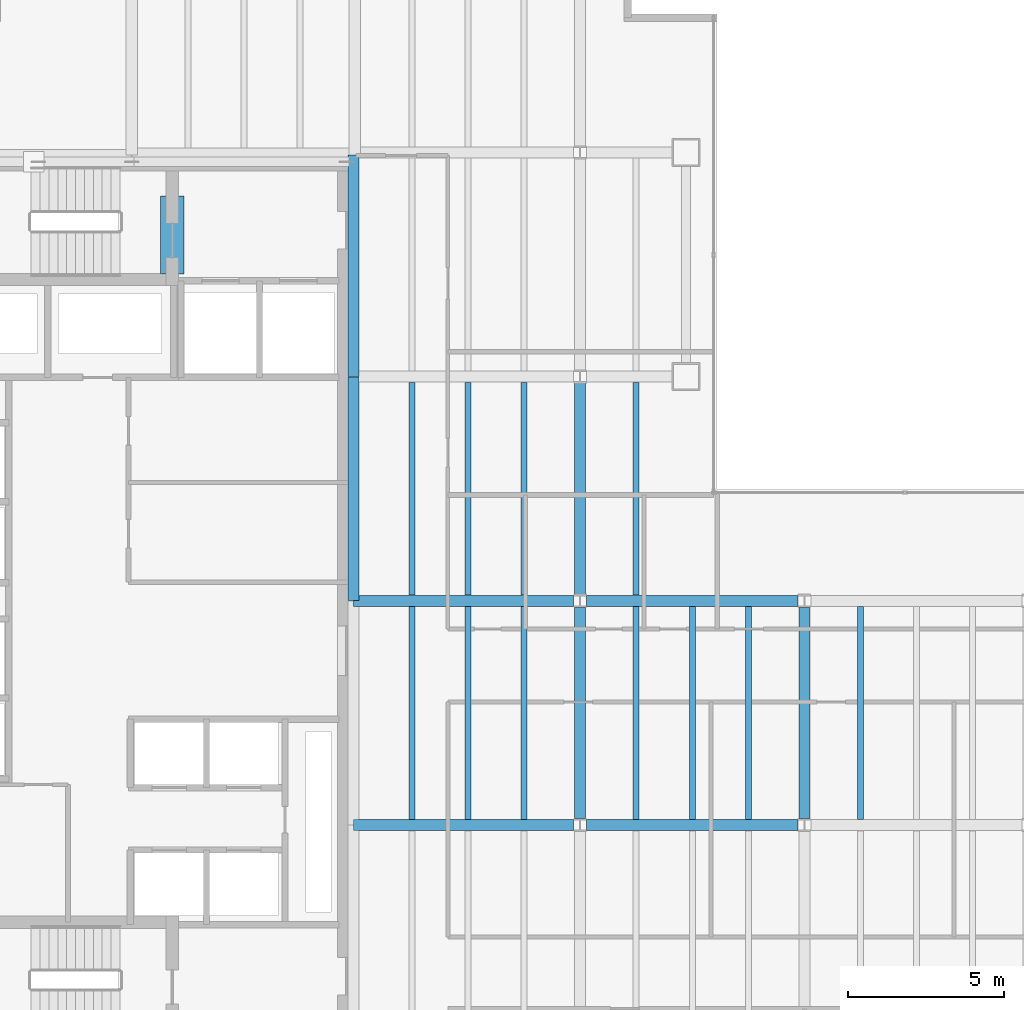
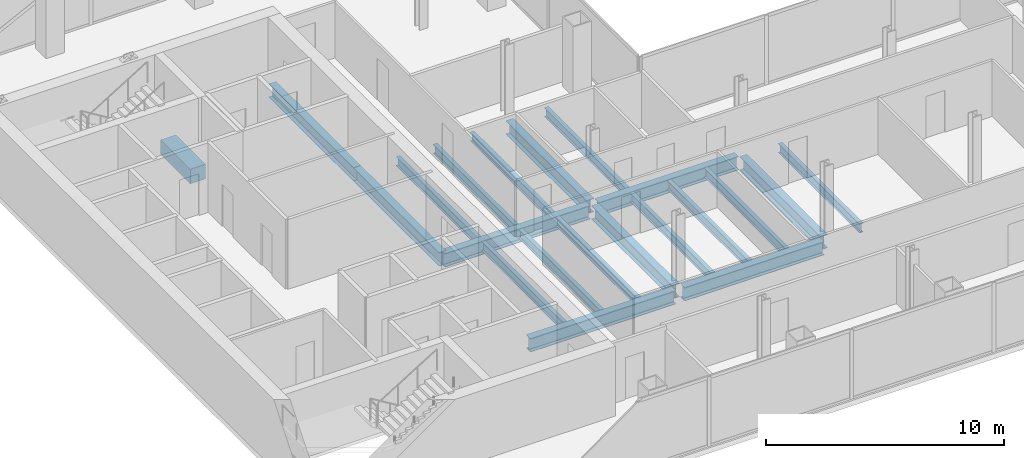
# One storey, part 6 of 23: 21 beams.
"""IFC4 building model written with IfcOpenShell, lengths in metres."""

from ifc_helpers import new_model, si_unit, direction, frame, origin, origin_2d, place, context, subcontext, project, spatial, rectangle, i_section, extrude, material, material_profile, profile_set, type_object, element, save


model = new_model("IFC4")

# Units and contexts
model_context = context("Model", 3, precision=1e-05, world=origin(), true_north=direction((0.0, 1.0)))
body_context = subcontext(model_context, "Body", "Model", "MODEL_VIEW")
ifc_project = project(units=[si_unit("LENGTHUNIT", "METRE"), si_unit("AREAUNIT", "SQUARE_METRE"), si_unit("VOLUMEUNIT", "CUBIC_METRE"), si_unit("PLANEANGLEUNIT", "RADIAN"), si_unit("MASSUNIT", "GRAM", prefix="KILO")], contexts=[model_context])

# Site, building, storey
site_placement = place(None, origin())
site = spatial("IfcSite", under=ifc_project, at=site_placement, CompositionType="ELEMENT")
building_placement = place(site_placement, origin())
building = spatial("IfcBuilding", under=site, at=building_placement, Name="Cobrela Telecom Tower", CompositionType="ELEMENT")
storey_placement = place(building_placement, frame((0.0, 0.0, 125.300048828125)))
storey = spatial("IfcBuildingStorey", under=building, at=storey_placement, Name="L31", CompositionType="ELEMENT", Elevation=125.300048828125)

# Beams
ifc_material_1 = material(Name="Concrete C40/50", Category="concrete")
ifc_material_profile_1 = material_profile(ifc_material_1, rectangle(XDim=0.75, YDim=0.75, at=origin_2d()), Name="RC 750x750")
ifc_profile_set_1 = profile_set([ifc_material_profile_1], Name="Concrete C40/50")
beam_type_1 = type_object("IfcBeamType", Name="BM-COUP-RC", PredefinedType="LINTEL", material=ifc_profile_set_1)
beam_1_placement = place(storey_placement, frame((8.5, 32.10009765625, -0.6201171875), z_axis=(0.0, 1.0, 0.0), x_axis=(-1.0, 0.0, 0.0)))
element("IfcBeam", 1, at=beam_1_placement, inside=storey, type_object=beam_type_1, Name="L31 Core Coupling Lintel Beam", PredefinedType="LINTEL", context=body_context, shape_type="SweptSolid", body=[
    extrude(rectangle(XDim=0.75, YDim=0.75, at=origin_2d()), origin(), (0.0, 0.0, 1.0), 2.5),
])
ifc_material_2 = material(Name="Steel ASTM A992 Grade 50", Category="steel")
ifc_material_profile_2 = material_profile(ifc_material_2, i_section(OverallWidth=0.35595703125, OverallDepth=0.696044921875, WebThickness=0.015380859375, FlangeThickness=0.024658203125, FilletRadius=0.01806640625, at=origin_2d()), Name="W27X146")
ifc_profile_set_2 = profile_set([ifc_material_profile_2], Name="Steel ASTM A992 Grade 50")
beam_type_2 = type_object("IfcBeamType", Name="BM-GIRD-05", PredefinedType="USERDEFINED", material=ifc_profile_set_2)
beam_2_placement = place(storey_placement, frame((14.324951171875, 14.39990234375, -0.6181640625), z_axis=(1.0, 0.0, 0.0), x_axis=(0.0, 1.0, 0.0)))
element("IfcBeam", 2, at=beam_2_placement, inside=storey, type_object=beam_type_2, Name="L31 Primary Girder X13", ObjectType="GIRDER", PredefinedType="USERDEFINED", context=body_context, shape_type="SweptSolid", body=[
    extrude(i_section(OverallWidth=0.35595703125, OverallDepth=0.696044921875, WebThickness=0.015380859375, FlangeThickness=0.024658203125, FilletRadius=0.01806640625, at=origin_2d()), origin(), (0.0, 0.0, 1.0), 7.0654296875),
])
beam_3_placement = place(storey_placement, frame((21.8095703125, 14.39990234375, -0.6181640625), z_axis=(1.0, 0.0, 0.0), x_axis=(0.0, 1.0, 0.0)))
element("IfcBeam", 3, at=beam_3_placement, inside=storey, type_object=beam_type_2, Name="L31 Primary Girder X14", ObjectType="GIRDER", PredefinedType="USERDEFINED", context=body_context, shape_type="SweptSolid", body=[
    extrude(i_section(OverallWidth=0.35595703125, OverallDepth=0.696044921875, WebThickness=0.015380859375, FlangeThickness=0.024658203125, FilletRadius=0.01806640625, at=origin_2d()), origin(), (0.0, 0.0, 1.0), 6.781005859375),
])
beam_4_placement = place(storey_placement, frame((14.324951171875, 21.60009765625, -0.6181640625), z_axis=(1.0, 0.0, 0.0), x_axis=(0.0, 1.0, 0.0)))
element("IfcBeam", 4, at=beam_4_placement, inside=storey, type_object=beam_type_2, Name="L31 Primary Girder X18", ObjectType="GIRDER", PredefinedType="USERDEFINED", context=body_context, shape_type="SweptSolid", body=[
    extrude(i_section(OverallWidth=0.35595703125, OverallDepth=0.696044921875, WebThickness=0.015380859375, FlangeThickness=0.024658203125, FilletRadius=0.01806640625, at=origin_2d()), origin(), (0.0, 0.0, 1.0), 7.0654296875),
])
beam_5_placement = place(storey_placement, frame((21.8095703125, 21.60009765625, -0.6181640625), z_axis=(1.0, 0.0, 0.0), x_axis=(0.0, 1.0, 0.0)))
element("IfcBeam", 5, at=beam_5_placement, inside=storey, type_object=beam_type_2, Name="L31 Primary Girder X19", ObjectType="GIRDER", PredefinedType="USERDEFINED", context=body_context, shape_type="SweptSolid", body=[
    extrude(i_section(OverallWidth=0.35595703125, OverallDepth=0.696044921875, WebThickness=0.015380859375, FlangeThickness=0.024658203125, FilletRadius=0.01806640625, at=origin_2d()), origin(), (0.0, 0.0, 1.0), 6.781005859375),
])
beam_6_placement = place(storey_placement, frame((14.320068359375, 21.60498046875, -0.6181640625), z_axis=(0.0, 1.0, 0.0), x_axis=(-1.0, 0.0, 0.0)))
element("IfcBeam", 6, at=beam_6_placement, inside=storey, type_object=beam_type_2, Name="L31 Primary Girder Y36", ObjectType="GIRDER", PredefinedType="USERDEFINED", context=body_context, shape_type="SweptSolid", body=[
    extrude(i_section(OverallWidth=0.35595703125, OverallDepth=0.696044921875, WebThickness=0.015380859375, FlangeThickness=0.024658203125, FilletRadius=0.01806640625, at=origin_2d()), origin(), (0.0, 0.0, 1.0), 7.18994140625),
])
beam_7_placement = place(storey_placement, frame((14.320068359375, 28.804931640625, -0.6181640625), z_axis=(0.0, 1.0, 0.0), x_axis=(-1.0, 0.0, 0.0)))
element("IfcBeam", 7, at=beam_7_placement, inside=storey, type_object=beam_type_2, Name="L31 Primary Girder Y37", ObjectType="GIRDER", PredefinedType="USERDEFINED", context=body_context, shape_type="SweptSolid", body=[
    extrude(i_section(OverallWidth=0.35595703125, OverallDepth=0.696044921875, WebThickness=0.015380859375, FlangeThickness=0.024658203125, FilletRadius=0.01806640625, at=origin_2d()), origin(), (0.0, 0.0, 1.0), 7.110107421875),
])
beam_8_placement = place(storey_placement, frame((21.60009765625, 14.609619140625, -0.6181640625), z_axis=(0.0, 1.0, 0.0), x_axis=(-1.0, 0.0, 0.0)))
element("IfcBeam", 8, at=beam_8_placement, inside=storey, type_object=beam_type_2, Name="L31 Primary Girder Y41", ObjectType="GIRDER", PredefinedType="USERDEFINED", context=body_context, shape_type="SweptSolid", body=[
    extrude(i_section(OverallWidth=0.35595703125, OverallDepth=0.696044921875, WebThickness=0.015380859375, FlangeThickness=0.024658203125, FilletRadius=0.01806640625, at=origin_2d()), origin(), (0.0, 0.0, 1.0), 6.78076171875),
])
beam_9_placement = place(storey_placement, frame((21.60009765625, 21.8095703125, -0.6181640625), z_axis=(0.0, 1.0, 0.0), x_axis=(-1.0, 0.0, 0.0)))
element("IfcBeam", 9, at=beam_9_placement, inside=storey, type_object=beam_type_2, Name="L31 Primary Girder Y42", ObjectType="GIRDER", PredefinedType="USERDEFINED", context=body_context, shape_type="SweptSolid", body=[
    extrude(i_section(OverallWidth=0.35595703125, OverallDepth=0.696044921875, WebThickness=0.015380859375, FlangeThickness=0.024658203125, FilletRadius=0.01806640625, at=origin_2d()), origin(), (0.0, 0.0, 1.0), 6.781005859375),
])
beam_10_placement = place(storey_placement, frame((28.800048828125, 14.609619140625, -0.6181640625), z_axis=(0.0, 1.0, 0.0), x_axis=(-1.0, 0.0, 0.0)))
element("IfcBeam", 10, at=beam_10_placement, inside=storey, type_object=beam_type_2, Name="L31 Primary Girder Y48", ObjectType="GIRDER", PredefinedType="USERDEFINED", context=body_context, shape_type="SweptSolid", body=[
    extrude(i_section(OverallWidth=0.35595703125, OverallDepth=0.696044921875, WebThickness=0.015380859375, FlangeThickness=0.024658203125, FilletRadius=0.01806640625, at=origin_2d()), origin(), (0.0, 0.0, 1.0), 6.78076171875),
])
ifc_material_profile_3 = material_profile(ifc_material_2, i_section(OverallWidth=0.193115234375, OverallDepth=0.467041015625, WebThickness=0.011474609375, FlangeThickness=0.01904296875, FilletRadius=0.012939453125, at=origin_2d()), Name="W18X65")
ifc_profile_set_3 = profile_set([ifc_material_profile_3], Name="Steel ASTM A992 Grade 50")
beam_type_3 = type_object("IfcBeamType", Name="BM-JOIST-03", PredefinedType="JOIST", material=ifc_profile_set_3)
for number, where, z_axis, x_axis, name in (
    (11, (16.199951171875, 14.5830078125, -0.503662109375), (0.0, 1.0, 0.0), (-1.0, 0.0, 0.0), "L31 Secondary Composite Floor Beam J05"),
    (12, (16.199951171875, 21.782958984375, -0.503662109375), (0.0, 1.0, 0.0), (-1.0, 0.0, 0.0), "L31 Secondary Composite Floor Beam J06"),
    (13, (18.0, 14.5830078125, -0.503662109375), (0.0, 1.0, 0.0), (-1.0, 0.0, 0.0), "L31 Secondary Composite Floor Beam J10"),
    (14, (18.0, 21.782958984375, -0.503662109375), (0.0, 1.0, 0.0), (-1.0, 0.0, 0.0), "L31 Secondary Composite Floor Beam J11"),
    (15, (19.800048828125, 14.5830078125, -0.503662109375), (0.0, 1.0, 0.0), (-1.0, 0.0, 0.0), "L31 Secondary Composite Floor Beam J15"),
    (16, (19.800048828125, 21.782958984375, -0.503662109375), (0.0, 1.0, 0.0), (-1.0, 0.0, 0.0), "L31 Secondary Composite Floor Beam J16"),
    (17, (23.39990234375, 14.5830078125, -0.503662109375), (0.0, 1.0, 0.0), (-1.0, 0.0, 0.0), "L31 Secondary Composite Floor Beam J20"),
    (18, (23.39990234375, 21.782958984375, -0.503662109375), (0.0, 1.0, 0.0), (-1.0, 0.0, 0.0), "L31 Secondary Composite Floor Beam J21"),
    (19, (25.199951171875, 14.5830078125, -0.503662109375), (0.0, 1.0, 0.0), (-1.0, 0.0, 0.0), "L31 Secondary Composite Floor Beam J24"),
    (20, (27.0, 14.5830078125, -0.503662109375), (0.0, 1.0, 0.0), (-1.0, 0.0, 0.0), "L31 Secondary Composite Floor Beam J26"),
    (21, (30.60009765625, 14.5830078125, -0.503662109375), (0.0, 1.0, 0.0), (-1.0, 0.0, 0.0), "L31 Secondary Composite Floor Beam J28"),
):
    element("IfcBeam", number, at=place(storey_placement, frame(where, z_axis=z_axis, x_axis=x_axis)), inside=storey, type_object=beam_type_3, Name=name, PredefinedType="JOIST", context=body_context, shape_type="SweptSolid", body=[
        extrude(i_section(OverallWidth=0.193115234375, OverallDepth=0.467041015625, WebThickness=0.011474609375, FlangeThickness=0.01904296875, FilletRadius=0.012939453125, at=origin_2d()), origin(), (0.0, 0.0, 1.0), 6.833984375),
    ])

save(model, "model.ifc")
